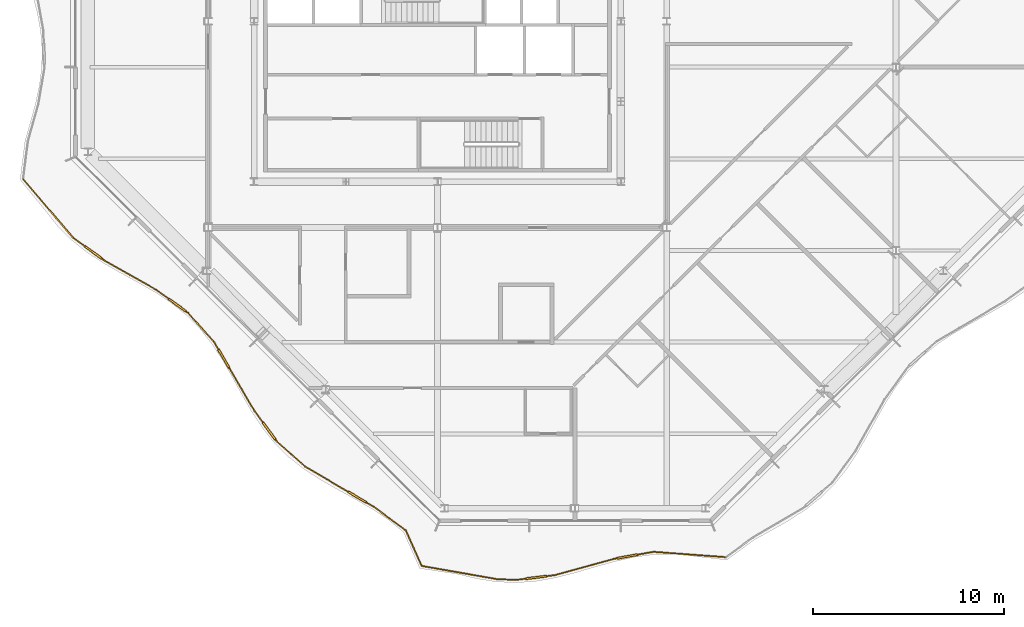
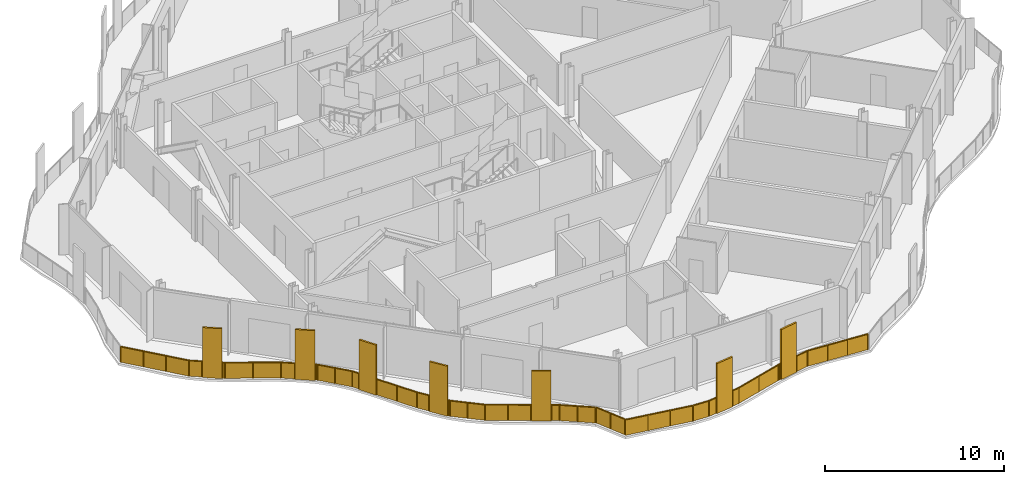
# One storey, part 13 of 17: 3 railings.
"""IFC4 building model written with IfcOpenShell, lengths in metres."""

from ifc_helpers import new_model, si_unit, direction, frame, origin, origin_2d, place, context, subcontext, project, spatial, polyline, rectangle, outline, extrude, material, type_object, element, save


model = new_model("IFC4")

# Units and contexts
model_context = context("Model", 3, precision=1e-05, world=origin(), true_north=direction((0.0, 1.0)))
body_context = subcontext(model_context, "Body", "Model", "MODEL_VIEW")
ifc_project = project(units=[si_unit("LENGTHUNIT", "METRE"), si_unit("AREAUNIT", "SQUARE_METRE"), si_unit("VOLUMEUNIT", "CUBIC_METRE"), si_unit("PLANEANGLEUNIT", "RADIAN"), si_unit("MASSUNIT", "GRAM", prefix="KILO")], contexts=[model_context])

# Site, building, storey
site_placement = place(None, origin())
site = spatial("IfcSite", under=ifc_project, at=site_placement, CompositionType="ELEMENT")
building_placement = place(site_placement, origin())
building = spatial("IfcBuilding", under=site, at=building_placement, Name="Cairn Pilgrim Tower", CompositionType="ELEMENT")
storey_placement = place(building_placement, frame((0.0, 0.0, 281.39990234375)))
storey = spatial("IfcBuildingStorey", under=building, at=storey_placement, Name="L72", CompositionType="ELEMENT", Elevation=281.39990234375)

# Railings
ifc_material_1 = material(Name="Bronze anodised aluminium rail and posts with laminated glass infill", Category="aluminium")
railing_type_1 = type_object("IfcRailingType", Name="BALCONY GUARD 1100", PredefinedType="GUARDRAIL", material=ifc_material_1)
railing_1_placement = place(storey_placement, frame((5.542724609375, -24.2587890625, 0.0)))
element("IfcRailing", 1, at=railing_1_placement, inside=storey, type_object=railing_type_1, Name="Balcony guard BG-9", PredefinedType="GUARDRAIL", context=body_context, shape_type="SweptSolid", body=[
    extrude(rectangle(XDim=0.050048828125, YDim=0.050048828125, at=origin_2d()), frame((0.0, 0.0, 1.0751953125), z_axis=(0.407858906004, -0.913044967564, 0.0), x_axis=(0.913044967564, 0.407858906004, 0.0)), (0.0, 0.0, 1.0), 1.97412109375),
    extrude(rectangle(XDim=0.050048828125, YDim=0.050048828125, at=origin_2d()), origin(), (0.0, 0.0, 1.0), 1.050048828125),
    extrude(rectangle(XDim=0.050048828125, YDim=0.050048828125, at=origin_2d()), frame((0.402587890625, -0.9013671875, 0.0)), (0.0, 0.0, 1.0), 1.050048828125),
    extrude(rectangle(XDim=0.050048828125, YDim=0.050048828125, at=origin_2d()), frame((0.80517578125, -1.802490234375, 0.0)), (0.0, 0.0, 1.0), 1.050048828125),
    extrude(outline(polyline([(0.02490234375, 0.0), (0.962158203125, 0.0), (0.962158203125, 1.050048828125), (0.02490234375, 1.050048828125), (0.02490234375, 0.0)])), frame((0.00537109375, 0.00244140625, 0.0), z_axis=(-0.913044967564, -0.407858906004, 0.0), x_axis=(0.407858906004, -0.913044967564, 0.0)), (0.0, 0.0, 1.0), 0.011962890625),
    extrude(outline(polyline([(0.02490234375, 0.0), (0.962158203125, 0.0), (0.962158203125, 1.050048828125), (0.02490234375, 1.050048828125), (0.02490234375, 0.0)])), frame((0.407958984375, -0.89892578125, 0.0), z_axis=(-0.913044967564, -0.407858906004, 0.0), x_axis=(0.407858906004, -0.913044967564, 0.0)), (0.0, 0.0, 1.0), 0.011962890625),
])
ifc_material_2 = material(Name="Bronze anodised aluminium rail, posts and fin screens with laminated glass infill", Category="aluminium")
railing_type_2 = type_object("IfcRailingType", Name="BALCONY GUARD WITH FIN SCREENS", PredefinedType="GUARDRAIL", material=ifc_material_2)
railing_2_placement = place(storey_placement, frame((6.372314453125, -26.115966796875, 0.0)))
element("IfcRailing", 2, at=railing_2_placement, inside=storey, type_object=railing_type_2, Name="Balcony guard BGF-1 with fin screens", PredefinedType="GUARDRAIL", context=body_context, shape_type="SweptSolid", body=[
    extrude(rectangle(XDim=0.050048828125, YDim=0.050048828125, at=origin_2d()), frame((0.0, 0.0, 1.0751953125), z_axis=(0.985069929759, -0.172154678952, 0.0), x_axis=(0.172154678952, 0.985069929759, 0.0)), (0.0, 0.0, 1.0), 3.9892578125),
    extrude(rectangle(XDim=0.050048828125, YDim=0.050048828125, at=origin_2d()), frame((3.9296875, -0.686767578125, 1.0751953125), z_axis=(0.998950473247, -0.045803405979, 0.0), x_axis=(0.045803405979, 0.998950473247, 0.0)), (0.0, 0.0, 1.0), 1.00732421875),
    extrude(rectangle(XDim=1.10009765625, YDim=0.110107421875, at=origin_2d()), frame((5.99658203125, -0.60107421875, 0.0), z_axis=(0.0, 0.0, 1.0), x_axis=(0.99235466207, 0.123418899148, 0.0)), (0.0, 0.0, 1.0), 3.39990234375),
    extrude(rectangle(XDim=0.050048828125, YDim=0.050048828125, at=origin_2d()), frame((4.93603515625, -0.73291015625, 1.0751953125), z_axis=(0.99235466207, 0.123418899148, 0.0), x_axis=(-0.123418899148, 0.99235466207, 0.0)), (0.0, 0.0, 1.0), 0.5185546875),
    extrude(rectangle(XDim=0.050048828125, YDim=0.050048828125, at=origin_2d()), frame((6.542236328125, -0.533203125, 1.0751953125), z_axis=(0.99235466207, 0.123418899148, 0.0), x_axis=(-0.123418899148, 0.99235466207, 0.0)), (0.0, 0.0, 1.0), 0.4306640625),
    extrude(rectangle(XDim=0.050048828125, YDim=0.050048828125, at=origin_2d()), frame((6.9697265625, -0.47998046875, 1.0751953125), z_axis=(0.964178050097, 0.265255891, 0.0), x_axis=(-0.265255891, 0.964178050097, 0.0)), (0.0, 0.0, 1.0), 3.196533203125),
    extrude(rectangle(XDim=1.10009765625, YDim=0.110107421875, at=origin_2d()), frame((10.761962890625, 0.494873046875, 0.0), z_axis=(0.0, 0.0, 1.0), x_axis=(0.984411879815, 0.175878511704, 0.0)), (0.0, 0.0, 1.0), 3.39990234375),
    extrude(rectangle(XDim=0.050048828125, YDim=0.050048828125, at=origin_2d()), frame((10.0517578125, 0.367919921875, 1.0751953125), z_axis=(0.984411879815, 0.175878511704, 0.0), x_axis=(-0.175878511704, 0.984411879815, 0.0)), (0.0, 0.0, 1.0), 0.17138671875),
    extrude(rectangle(XDim=0.050048828125, YDim=0.050048828125, at=origin_2d()), frame((11.30322265625, 0.591552734375, 1.0751953125), z_axis=(0.984411879815, 0.175878511704, 0.0), x_axis=(-0.175878511704, 0.984411879815, 0.0)), (0.0, 0.0, 1.0), 0.84423828125),
    extrude(rectangle(XDim=0.050048828125, YDim=0.050048828125, at=origin_2d()), frame((12.13427734375, 0.739990234375, 1.0751953125), z_axis=(0.997303000639, -0.0733943112, 0.0), x_axis=(0.0733943112, 0.997303000639, 0.0)), (0.0, 0.0, 1.0), 3.748779296875),
    extrude(rectangle(XDim=0.050048828125, YDim=0.050048828125, at=origin_2d()), origin(), (0.0, 0.0, 1.0), 1.050048828125),
    extrude(rectangle(XDim=0.050048828125, YDim=0.050048828125, at=origin_2d()), frame((1.309814453125, -0.22900390625, 0.0)), (0.0, 0.0, 1.0), 1.050048828125),
    extrude(rectangle(XDim=0.050048828125, YDim=0.050048828125, at=origin_2d()), frame((2.619873046875, -0.457763671875, 0.0)), (0.0, 0.0, 1.0), 1.050048828125),
    extrude(rectangle(XDim=0.050048828125, YDim=0.050048828125, at=origin_2d()), frame((3.9296875, -0.686767578125, 0.0)), (0.0, 0.0, 1.0), 1.050048828125),
    extrude(rectangle(XDim=0.050048828125, YDim=0.050048828125, at=origin_2d()), frame((4.93603515625, -0.73291015625, 0.0)), (0.0, 0.0, 1.0), 1.050048828125),
    extrude(rectangle(XDim=0.050048828125, YDim=0.050048828125, at=origin_2d()), frame((5.42578125, -0.671875, 0.0)), (0.0, 0.0, 1.0), 1.050048828125),
    extrude(rectangle(XDim=0.050048828125, YDim=0.050048828125, at=origin_2d()), frame((6.567138671875, -0.530029296875, 0.0)), (0.0, 0.0, 1.0), 1.050048828125),
    extrude(rectangle(XDim=0.050048828125, YDim=0.050048828125, at=origin_2d()), frame((6.9697265625, -0.47998046875, 0.0)), (0.0, 0.0, 1.0), 1.050048828125),
    extrude(rectangle(XDim=0.050048828125, YDim=0.050048828125, at=origin_2d()), frame((8.5107421875, -0.055908203125, 0.0)), (0.0, 0.0, 1.0), 1.050048828125),
    extrude(rectangle(XDim=0.050048828125, YDim=0.050048828125, at=origin_2d()), frame((10.0517578125, 0.367919921875, 0.0)), (0.0, 0.0, 1.0), 1.050048828125),
    extrude(rectangle(XDim=0.050048828125, YDim=0.050048828125, at=origin_2d()), frame((10.19580078125, 0.3935546875, 0.0)), (0.0, 0.0, 1.0), 1.050048828125),
    extrude(rectangle(XDim=0.050048828125, YDim=0.050048828125, at=origin_2d()), frame((11.327880859375, 0.595947265625, 0.0)), (0.0, 0.0, 1.0), 1.050048828125),
    extrude(rectangle(XDim=0.050048828125, YDim=0.050048828125, at=origin_2d()), frame((12.13427734375, 0.739990234375, 0.0)), (0.0, 0.0, 1.0), 1.050048828125),
    extrude(rectangle(XDim=0.050048828125, YDim=0.050048828125, at=origin_2d()), frame((13.380615234375, 0.648193359375, 0.0)), (0.0, 0.0, 1.0), 1.050048828125),
    extrude(rectangle(XDim=0.050048828125, YDim=0.050048828125, at=origin_2d()), frame((14.626708984375, 0.556640625, 0.0)), (0.0, 0.0, 1.0), 1.050048828125),
    extrude(rectangle(XDim=0.050048828125, YDim=0.050048828125, at=origin_2d()), frame((15.873046875, 0.46484375, 0.0)), (0.0, 0.0, 1.0), 1.050048828125),
    extrude(outline(polyline([(0.02490234375, 0.0), (1.3046875, 0.0), (1.3046875, 1.050048828125), (0.02490234375, 1.050048828125), (0.02490234375, 0.0)])), frame((0.0009765625, 0.005859375, 0.0), z_axis=(-0.172154678952, -0.985069929759, 0.0), x_axis=(0.985069929759, -0.172154678952, 0.0)), (0.0, 0.0, 1.0), 0.011962890625),
    extrude(outline(polyline([(0.02490234375, 0.0), (1.3046875, 0.0), (1.3046875, 1.050048828125), (0.02490234375, 1.050048828125), (0.02490234375, 0.0)])), frame((1.31103515625, -0.22314453125, 0.0), z_axis=(-0.172154678952, -0.985069929759, 0.0), x_axis=(0.985069929759, -0.172154678952, 0.0)), (0.0, 0.0, 1.0), 0.011962890625),
    extrude(outline(polyline([(0.02490234375, 0.0), (1.3046875, 0.0), (1.3046875, 1.050048828125), (0.02490234375, 1.050048828125), (0.02490234375, 0.0)])), frame((2.620849609375, -0.451904296875, 0.0), z_axis=(-0.172154678952, -0.985069929759, 0.0), x_axis=(0.985069929759, -0.172154678952, 0.0)), (0.0, 0.0, 1.0), 0.011962890625),
    extrude(outline(polyline([(0.02490234375, 0.0), (0.982421875, 0.0), (0.982421875, 1.050048828125), (0.02490234375, 1.050048828125), (0.02490234375, 0.0)])), frame((3.929931640625, -0.680908203125, 0.0), z_axis=(-0.045803405979, -0.998950473247, 0.0), x_axis=(0.998950473247, -0.045803405979, 0.0)), (0.0, 0.0, 1.0), 0.011962890625),
    extrude(outline(polyline([(0.02490234375, 0.0), (0.468505859375, 0.0), (0.468505859375, 1.050048828125), (0.02490234375, 1.050048828125), (0.02490234375, 0.0)])), frame((4.935302734375, -0.72705078125, 0.0), z_axis=(0.123418899148, -0.99235466207, 0.0), x_axis=(0.99235466207, 0.123418899148, 0.0)), (0.0, 0.0, 1.0), 0.011962890625),
    extrude(outline(polyline([(0.02490234375, 0.0), (0.380615234375, 0.0), (0.380615234375, 1.050048828125), (0.02490234375, 1.050048828125), (0.02490234375, 0.0)])), frame((6.56640625, -0.524169921875, 0.0), z_axis=(0.123418899148, -0.99235466207, 0.0), x_axis=(0.99235466207, 0.123418899148, 0.0)), (0.0, 0.0, 1.0), 0.011962890625),
    extrude(outline(polyline([(0.02490234375, 0.0), (1.5732421875, 0.0), (1.5732421875, 1.050048828125), (0.02490234375, 1.050048828125), (0.02490234375, 0.0)])), frame((6.96826171875, -0.47412109375, 0.0), z_axis=(0.265255891, -0.964178050097, 0.0), x_axis=(0.964178050097, 0.265255891, 0.0)), (0.0, 0.0, 1.0), 0.011962890625),
    extrude(outline(polyline([(0.02490234375, 0.0), (1.5732421875, 0.0), (1.5732421875, 1.050048828125), (0.02490234375, 1.050048828125), (0.02490234375, 0.0)])), frame((8.50927734375, -0.05029296875, 0.0), z_axis=(0.265255891, -0.964178050097, 0.0), x_axis=(0.964178050097, 0.265255891, 0.0)), (0.0, 0.0, 1.0), 0.011962890625),
    extrude(outline(polyline([(0.02490234375, 0.0), (0.121337890625, 0.0), (0.121337890625, 1.050048828125), (0.02490234375, 1.050048828125), (0.02490234375, 0.0)])), frame((10.05078125, 0.373779296875, 0.0), z_axis=(0.175878511704, -0.984411879815, 0.0), x_axis=(0.984411879815, 0.175878511704, 0.0)), (0.0, 0.0, 1.0), 0.011962890625),
    extrude(outline(polyline([(0.02490234375, 0.0), (0.794189453125, 0.0), (0.794189453125, 1.050048828125), (0.02490234375, 1.050048828125), (0.02490234375, 0.0)])), frame((11.326904296875, 0.601806640625, 0.0), z_axis=(0.175878511704, -0.984411879815, 0.0), x_axis=(0.984411879815, 0.175878511704, 0.0)), (0.0, 0.0, 1.0), 0.011962890625),
    extrude(outline(polyline([(0.02490234375, 0.0), (1.224609375, 0.0), (1.224609375, 1.050048828125), (0.02490234375, 1.050048828125), (0.02490234375, 0.0)])), frame((12.134765625, 0.745849609375, 0.0), z_axis=(-0.0733943112, -0.997303000639, 0.0), x_axis=(0.997303000639, -0.0733943112, 0.0)), (0.0, 0.0, 1.0), 0.011962890625),
    extrude(outline(polyline([(0.02490234375, 0.0), (1.224609375, 0.0), (1.224609375, 1.050048828125), (0.02490234375, 1.050048828125), (0.02490234375, 0.0)])), frame((13.380859375, 0.654296875, 0.0), z_axis=(-0.0733943112, -0.997303000639, 0.0), x_axis=(0.997303000639, -0.0733943112, 0.0)), (0.0, 0.0, 1.0), 0.011962890625),
    extrude(outline(polyline([(0.02490234375, 0.0), (1.224609375, 0.0), (1.224609375, 1.050048828125), (0.02490234375, 1.050048828125), (0.02490234375, 0.0)])), frame((14.627197265625, 0.5625, 0.0), z_axis=(-0.0733943112, -0.997303000639, 0.0), x_axis=(0.997303000639, -0.0733943112, 0.0)), (0.0, 0.0, 1.0), 0.011962890625),
])
railing_3_placement = place(storey_placement, frame((-14.49951171875, -5.853515625, 0.0)))
element("IfcRailing", 3, at=railing_3_placement, inside=storey, type_object=railing_type_2, Name="Balcony guard BGF-8 with fin screens", PredefinedType="GUARDRAIL", context=body_context, shape_type="SweptSolid", body=[
    extrude(rectangle(XDim=0.050048828125, YDim=0.050048828125, at=origin_2d()), frame((0.0, 0.0, 1.0751953125), z_axis=(0.64827867442, -0.761403152274, 0.0), x_axis=(0.761403152274, 0.64827867442, 0.0)), (0.0, 0.0, 1.0), 4.046630859375),
    extrude(rectangle(XDim=1.10009765625, YDim=0.110107421875, at=origin_2d()), frame((3.682373046875, -3.8515625, 0.0), z_axis=(0.0, 0.0, 1.0), x_axis=(0.808588988525, -0.588373901219, 0.0)), (0.0, 0.0, 1.0), 3.39990234375),
    extrude(rectangle(XDim=0.050048828125, YDim=0.050048828125, at=origin_2d()), frame((2.623291015625, -3.0810546875, 1.0751953125), z_axis=(0.808588988525, -0.588373901219, 0.0), x_axis=(0.588373901219, 0.808588988525, 0.0)), (0.0, 0.0, 1.0), 0.759765625),
    extrude(rectangle(XDim=0.050048828125, YDim=0.050048828125, at=origin_2d()), frame((4.126953125, -4.17529296875, 1.0751953125), z_axis=(0.808588988525, -0.588373901219, 0.0), x_axis=(0.588373901219, 0.808588988525, 0.0)), (0.0, 0.0, 1.0), 0.150146484375),
    extrude(rectangle(XDim=0.050048828125, YDim=0.050048828125, at=origin_2d()), frame((4.24853515625, -4.263671875, 1.0751953125), z_axis=(0.870480043492, -0.492203711773, 0.0), x_axis=(0.492203711773, 0.870480043492, 0.0)), (0.0, 0.0, 1.0), 3.130859375),
    extrude(rectangle(XDim=1.10009765625, YDim=0.110107421875, at=origin_2d()), frame((8.0751953125, -6.604736328125, 0.0), z_axis=(0.0, 0.0, 1.0), x_axis=(0.809073989222, -0.587706797617, 0.0)), (0.0, 0.0, 1.0), 3.39990234375),
    extrude(rectangle(XDim=0.050048828125, YDim=0.050048828125, at=origin_2d()), frame((6.973876953125, -5.8046875, 1.0751953125), z_axis=(0.809073989222, -0.587706797617, 0.0), x_axis=(0.587706797617, 0.809073989222, 0.0)), (0.0, 0.0, 1.0), 0.81103515625),
    extrude(rectangle(XDim=0.050048828125, YDim=0.050048828125, at=origin_2d()), frame((8.52001953125, -6.927978515625, 1.0751953125), z_axis=(0.809073989222, -0.587706797617, 0.0), x_axis=(0.587706797617, 0.809073989222, 0.0)), (0.0, 0.0, 1.0), 0.150146484375),
    extrude(rectangle(XDim=0.050048828125, YDim=0.050048828125, at=origin_2d()), frame((8.6416015625, -7.01611328125, 1.0751953125), z_axis=(0.664859994734, -0.746967996237, 0.0), x_axis=(0.746967996237, 0.664859994734, 0.0)), (0.0, 0.0, 1.0), 2.045654296875),
    extrude(rectangle(XDim=1.10009765625, YDim=0.110107421875, at=origin_2d()), frame((10.5078125, -9.4072265625, 0.0), z_axis=(0.0, 0.0, 1.0), x_axis=(0.505969248917, -0.86255151681, 0.0)), (0.0, 0.0, 1.0), 3.39990234375),
    extrude(rectangle(XDim=0.050048828125, YDim=0.050048828125, at=origin_2d()), frame((10.001708984375, -8.544189453125, 1.0751953125), z_axis=(0.505969248917, -0.86255151681, 0.0), x_axis=(0.86255151681, 0.505969248917, 0.0)), (0.0, 0.0, 1.0), 0.450439453125),
    extrude(rectangle(XDim=0.050048828125, YDim=0.050048828125, at=origin_2d()), frame((10.7861328125, -9.881591796875, 1.0751953125), z_axis=(0.505969248917, -0.86255151681, 0.0), x_axis=(0.86255151681, 0.505969248917, 0.0)), (0.0, 0.0, 1.0), 2.61376953125),
    extrude(rectangle(XDim=1.10009765625, YDim=0.110107421875, at=origin_2d()), frame((12.883544921875, -13.193359375, 0.0), z_axis=(0.0, 0.0, 1.0), x_axis=(0.591105742115, -0.806594074884, 0.0)), (0.0, 0.0, 1.0), 3.39990234375),
    extrude(rectangle(XDim=0.050048828125, YDim=0.050048828125, at=origin_2d()), frame((12.108642578125, -12.135986328125, 1.0751953125), z_axis=(0.591105742115, -0.806594074884, 0.0), x_axis=(0.806594074884, 0.591105742115, 0.0)), (0.0, 0.0, 1.0), 0.760986328125),
    extrude(rectangle(XDim=0.050048828125, YDim=0.050048828125, at=origin_2d()), frame((13.208740234375, -13.636962890625, 1.0751953125), z_axis=(0.591105742115, -0.806594074884, 0.0), x_axis=(0.806594074884, 0.591105742115, 0.0)), (0.0, 0.0, 1.0), 0.14990234375),
    extrude(rectangle(XDim=0.050048828125, YDim=0.050048828125, at=origin_2d()), frame((13.29736328125, -13.758056640625, 1.0751953125), z_axis=(0.750347373175, -0.66104373499, 0.0), x_axis=(0.66104373499, 0.750347373175, 0.0)), (0.0, 0.0, 1.0), 1.98486328125),
    extrude(rectangle(XDim=1.10009765625, YDim=0.110107421875, at=origin_2d()), frame((17.494140625, -16.65576171875, 0.0), z_axis=(0.0, 0.0, 1.0), x_axis=(0.862898749758, -0.505376837287, 0.0)), (0.0, 0.0, 1.0), 3.39990234375),
    extrude(rectangle(XDim=0.050048828125, YDim=0.050048828125, at=origin_2d()), frame((14.78662109375, -15.070068359375, 1.0751953125), z_axis=(0.862898749758, -0.505376837287, 0.0), x_axis=(0.505376837287, 0.862898749758, 0.0)), (0.0, 0.0, 1.0), 2.587646484375),
    extrude(rectangle(XDim=0.050048828125, YDim=0.050048828125, at=origin_2d()), frame((17.96875, -16.933837890625, 1.0751953125), z_axis=(0.862898749758, -0.505376837287, 0.0), x_axis=(0.505376837287, 0.862898749758, 0.0)), (0.0, 0.0, 1.0), 0.46337890625),
    extrude(rectangle(XDim=0.050048828125, YDim=0.050048828125, at=origin_2d()), frame((18.36865234375, -17.16796875, 1.0751953125), z_axis=(0.804125938347, -0.594458976951, 0.0), x_axis=(0.594458976951, 0.804125938347, 0.0)), (0.0, 0.0, 1.0), 2.021484375),
    extrude(rectangle(XDim=0.050048828125, YDim=0.050048828125, at=origin_2d()), origin(), (0.0, 0.0, 1.0), 1.050048828125),
    extrude(rectangle(XDim=0.050048828125, YDim=0.050048828125, at=origin_2d()), frame((0.87451171875, -1.027099609375, 0.0)), (0.0, 0.0, 1.0), 1.050048828125),
    extrude(rectangle(XDim=0.050048828125, YDim=0.050048828125, at=origin_2d()), frame((1.748779296875, -2.053955078125, 0.0)), (0.0, 0.0, 1.0), 1.050048828125),
    extrude(rectangle(XDim=0.050048828125, YDim=0.050048828125, at=origin_2d()), frame((2.623291015625, -3.0810546875, 0.0)), (0.0, 0.0, 1.0), 1.050048828125),
    extrude(rectangle(XDim=0.050048828125, YDim=0.050048828125, at=origin_2d()), frame((3.21728515625, -3.513427734375, 0.0)), (0.0, 0.0, 1.0), 1.050048828125),
    extrude(rectangle(XDim=0.050048828125, YDim=0.050048828125, at=origin_2d()), frame((4.147216796875, -4.18994140625, 0.0)), (0.0, 0.0, 1.0), 1.050048828125),
    extrude(rectangle(XDim=0.050048828125, YDim=0.050048828125, at=origin_2d()), frame((4.24853515625, -4.263671875, 0.0)), (0.0, 0.0, 1.0), 1.050048828125),
    extrude(rectangle(XDim=0.050048828125, YDim=0.050048828125, at=origin_2d()), frame((5.611328125, -5.0341796875, 0.0)), (0.0, 0.0, 1.0), 1.050048828125),
    extrude(rectangle(XDim=0.050048828125, YDim=0.050048828125, at=origin_2d()), frame((6.973876953125, -5.8046875, 0.0)), (0.0, 0.0, 1.0), 1.050048828125),
    extrude(rectangle(XDim=0.050048828125, YDim=0.050048828125, at=origin_2d()), frame((7.60986328125, -6.2666015625, 0.0)), (0.0, 0.0, 1.0), 1.050048828125),
    extrude(rectangle(XDim=0.050048828125, YDim=0.050048828125, at=origin_2d()), frame((8.540283203125, -6.942626953125, 0.0)), (0.0, 0.0, 1.0), 1.050048828125),
    extrude(rectangle(XDim=0.050048828125, YDim=0.050048828125, at=origin_2d()), frame((8.6416015625, -7.01611328125, 0.0)), (0.0, 0.0, 1.0), 1.050048828125),
    extrude(rectangle(XDim=0.050048828125, YDim=0.050048828125, at=origin_2d()), frame((9.32177734375, -7.7802734375, 0.0)), (0.0, 0.0, 1.0), 1.050048828125),
    extrude(rectangle(XDim=0.050048828125, YDim=0.050048828125, at=origin_2d()), frame((10.001708984375, -8.544189453125, 0.0)), (0.0, 0.0, 1.0), 1.050048828125),
    extrude(rectangle(XDim=0.050048828125, YDim=0.050048828125, at=origin_2d()), frame((10.217041015625, -8.9111328125, 0.0)), (0.0, 0.0, 1.0), 1.050048828125),
    extrude(rectangle(XDim=0.050048828125, YDim=0.050048828125, at=origin_2d()), frame((10.798828125, -9.903076171875, 0.0)), (0.0, 0.0, 1.0), 1.050048828125),
    extrude(rectangle(XDim=0.050048828125, YDim=0.050048828125, at=origin_2d()), frame((11.453857421875, -11.01953125, 0.0)), (0.0, 0.0, 1.0), 1.050048828125),
    extrude(rectangle(XDim=0.050048828125, YDim=0.050048828125, at=origin_2d()), frame((12.108642578125, -12.135986328125, 0.0)), (0.0, 0.0, 1.0), 1.050048828125),
    extrude(rectangle(XDim=0.050048828125, YDim=0.050048828125, at=origin_2d()), frame((12.543701171875, -12.7294921875, 0.0)), (0.0, 0.0, 1.0), 1.050048828125),
    extrude(rectangle(XDim=0.050048828125, YDim=0.050048828125, at=origin_2d()), frame((13.223388671875, -13.6572265625, 0.0)), (0.0, 0.0, 1.0), 1.050048828125),
    extrude(rectangle(XDim=0.050048828125, YDim=0.050048828125, at=origin_2d()), frame((13.29736328125, -13.758056640625, 0.0)), (0.0, 0.0, 1.0), 1.050048828125),
    extrude(rectangle(XDim=0.050048828125, YDim=0.050048828125, at=origin_2d()), frame((14.0419921875, -14.4140625, 0.0)), (0.0, 0.0, 1.0), 1.050048828125),
    extrude(rectangle(XDim=0.050048828125, YDim=0.050048828125, at=origin_2d()), frame((14.78662109375, -15.070068359375, 0.0)), (0.0, 0.0, 1.0), 1.050048828125),
    extrude(rectangle(XDim=0.050048828125, YDim=0.050048828125, at=origin_2d()), frame((15.892333984375, -15.717529296875, 0.0)), (0.0, 0.0, 1.0), 1.050048828125),
    extrude(rectangle(XDim=0.050048828125, YDim=0.050048828125, at=origin_2d()), frame((16.998046875, -16.365234375, 0.0)), (0.0, 0.0, 1.0), 1.050048828125),
    extrude(rectangle(XDim=0.050048828125, YDim=0.050048828125, at=origin_2d()), frame((17.990234375, -16.9462890625, 0.0)), (0.0, 0.0, 1.0), 1.050048828125),
    extrude(rectangle(XDim=0.050048828125, YDim=0.050048828125, at=origin_2d()), frame((18.36865234375, -17.16796875, 0.0)), (0.0, 0.0, 1.0), 1.050048828125),
    extrude(rectangle(XDim=0.050048828125, YDim=0.050048828125, at=origin_2d()), frame((19.181396484375, -17.768798828125, 0.0)), (0.0, 0.0, 1.0), 1.050048828125),
    extrude(rectangle(XDim=0.050048828125, YDim=0.050048828125, at=origin_2d()), frame((19.994140625, -18.36962890625, 0.0)), (0.0, 0.0, 1.0), 1.050048828125),
    extrude(outline(polyline([(0.02490234375, 0.0), (1.32373046875, 0.0), (1.32373046875, 1.050048828125), (0.02490234375, 1.050048828125), (0.02490234375, 0.0)])), frame((0.004638671875, 0.00390625, 0.0), z_axis=(-0.761403152274, -0.64827867442, 0.0), x_axis=(0.64827867442, -0.761403152274, 0.0)), (0.0, 0.0, 1.0), 0.011962890625),
    extrude(outline(polyline([(0.02490234375, 0.0), (1.32373046875, 0.0), (1.32373046875, 1.050048828125), (0.02490234375, 1.050048828125), (0.02490234375, 0.0)])), frame((0.87890625, -1.023193359375, 0.0), z_axis=(-0.761403152274, -0.64827867442, 0.0), x_axis=(0.64827867442, -0.761403152274, 0.0)), (0.0, 0.0, 1.0), 0.011962890625),
    extrude(outline(polyline([(0.02490234375, 0.0), (1.32373046875, 0.0), (1.32373046875, 1.050048828125), (0.02490234375, 1.050048828125), (0.02490234375, 0.0)])), frame((1.75341796875, -2.050048828125, 0.0), z_axis=(-0.761403152274, -0.64827867442, 0.0), x_axis=(0.64827867442, -0.761403152274, 0.0)), (0.0, 0.0, 1.0), 0.011962890625),
    extrude(outline(polyline([(0.02490234375, 0.0), (0.709716796875, 0.0), (0.709716796875, 1.050048828125), (0.02490234375, 1.050048828125), (0.02490234375, 0.0)])), frame((2.626708984375, -3.076171875, 0.0), z_axis=(-0.588373901219, -0.808588988525, 0.0), x_axis=(0.808588988525, -0.588373901219, 0.0)), (0.0, 0.0, 1.0), 0.011962890625),
    extrude(outline(polyline([(0.02490234375, 0.0), (0.10009765625, 0.0), (0.10009765625, 1.050048828125), (0.02490234375, 1.050048828125), (0.02490234375, 0.0)])), frame((4.15087890625, -4.18505859375, 0.0), z_axis=(-0.588373901219, -0.808588988525, 0.0), x_axis=(0.808588988525, -0.588373901219, 0.0)), (0.0, 0.0, 1.0), 0.011962890625),
    extrude(outline(polyline([(0.02490234375, 0.0), (1.540283203125, 0.0), (1.540283203125, 1.050048828125), (0.02490234375, 1.050048828125), (0.02490234375, 0.0)])), frame((4.25146484375, -4.258544921875, 0.0), z_axis=(-0.492203711773, -0.870480043492, 0.0), x_axis=(0.870480043492, -0.492203711773, 0.0)), (0.0, 0.0, 1.0), 0.011962890625),
    extrude(outline(polyline([(0.02490234375, 0.0), (1.540283203125, 0.0), (1.540283203125, 1.050048828125), (0.02490234375, 1.050048828125), (0.02490234375, 0.0)])), frame((5.6142578125, -5.029052734375, 0.0), z_axis=(-0.492203711773, -0.870480043492, 0.0), x_axis=(0.870480043492, -0.492203711773, 0.0)), (0.0, 0.0, 1.0), 0.011962890625),
    extrude(outline(polyline([(0.02490234375, 0.0), (0.760986328125, 0.0), (0.760986328125, 1.050048828125), (0.02490234375, 1.050048828125), (0.02490234375, 0.0)])), frame((6.977294921875, -5.7998046875, 0.0), z_axis=(-0.587706797617, -0.809073989222, 0.0), x_axis=(0.809073989222, -0.587706797617, 0.0)), (0.0, 0.0, 1.0), 0.011962890625),
    extrude(outline(polyline([(0.02490234375, 0.0), (0.10009765625, 0.0), (0.10009765625, 1.050048828125), (0.02490234375, 1.050048828125), (0.02490234375, 0.0)])), frame((8.5439453125, -6.937744140625, 0.0), z_axis=(-0.587706797617, -0.809073989222, 0.0), x_axis=(0.809073989222, -0.587706797617, 0.0)), (0.0, 0.0, 1.0), 0.011962890625),
    extrude(outline(polyline([(0.02490234375, 0.0), (0.997802734375, 0.0), (0.997802734375, 1.050048828125), (0.02490234375, 1.050048828125), (0.02490234375, 0.0)])), frame((8.64599609375, -7.01220703125, 0.0), z_axis=(-0.746967996237, -0.664859994734, 0.0), x_axis=(0.664859994734, -0.746967996237, 0.0)), (0.0, 0.0, 1.0), 0.011962890625),
    extrude(outline(polyline([(0.02490234375, 0.0), (0.997802734375, 0.0), (0.997802734375, 1.050048828125), (0.02490234375, 1.050048828125), (0.02490234375, 0.0)])), frame((9.326171875, -7.776123046875, 0.0), z_axis=(-0.746967996237, -0.664859994734, 0.0), x_axis=(0.664859994734, -0.746967996237, 0.0)), (0.0, 0.0, 1.0), 0.011962890625),
    extrude(outline(polyline([(0.02490234375, 0.0), (0.400390625, 0.0), (0.400390625, 1.050048828125), (0.02490234375, 1.050048828125), (0.02490234375, 0.0)])), frame((10.0068359375, -8.541259765625, 0.0), z_axis=(-0.86255151681, -0.505969248917, 0.0), x_axis=(0.505969248917, -0.86255151681, 0.0)), (0.0, 0.0, 1.0), 0.011962890625),
    extrude(outline(polyline([(0.02490234375, 0.0), (1.269287109375, 0.0), (1.269287109375, 1.050048828125), (0.02490234375, 1.050048828125), (0.02490234375, 0.0)])), frame((10.803955078125, -9.900146484375, 0.0), z_axis=(-0.86255151681, -0.505969248917, 0.0), x_axis=(0.505969248917, -0.86255151681, 0.0)), (0.0, 0.0, 1.0), 0.011962890625),
    extrude(outline(polyline([(0.02490234375, 0.0), (1.269287109375, 0.0), (1.269287109375, 1.050048828125), (0.02490234375, 1.050048828125), (0.02490234375, 0.0)])), frame((11.458984375, -11.0166015625, 0.0), z_axis=(-0.86255151681, -0.505969248917, 0.0), x_axis=(0.505969248917, -0.86255151681, 0.0)), (0.0, 0.0, 1.0), 0.011962890625),
    extrude(outline(polyline([(0.02490234375, 0.0), (0.7109375, 0.0), (0.7109375, 1.050048828125), (0.02490234375, 1.050048828125), (0.02490234375, 0.0)])), frame((12.113525390625, -12.132568359375, 0.0), z_axis=(-0.806594074884, -0.591105742115, 0.0), x_axis=(0.591105742115, -0.806594074884, 0.0)), (0.0, 0.0, 1.0), 0.011962890625),
    extrude(outline(polyline([(0.02490234375, 0.0), (0.099853515625, 0.0), (0.099853515625, 1.050048828125), (0.02490234375, 1.050048828125), (0.02490234375, 0.0)])), frame((13.228271484375, -13.65380859375, 0.0), z_axis=(-0.806594074884, -0.591105742115, 0.0), x_axis=(0.591105742115, -0.806594074884, 0.0)), (0.0, 0.0, 1.0), 0.011962890625),
    extrude(outline(polyline([(0.02490234375, 0.0), (0.96728515625, 0.0), (0.96728515625, 1.050048828125), (0.02490234375, 1.050048828125), (0.02490234375, 0.0)])), frame((13.30126953125, -13.753662109375, 0.0), z_axis=(-0.66104373499, -0.750347373175, 0.0), x_axis=(0.750347373175, -0.66104373499, 0.0)), (0.0, 0.0, 1.0), 0.011962890625),
    extrude(outline(polyline([(0.02490234375, 0.0), (0.96728515625, 0.0), (0.96728515625, 1.050048828125), (0.02490234375, 1.050048828125), (0.02490234375, 0.0)])), frame((14.0458984375, -14.40966796875, 0.0), z_axis=(-0.66104373499, -0.750347373175, 0.0), x_axis=(0.750347373175, -0.66104373499, 0.0)), (0.0, 0.0, 1.0), 0.011962890625),
    extrude(outline(polyline([(0.02490234375, 0.0), (1.25634765625, 0.0), (1.25634765625, 1.050048828125), (0.02490234375, 1.050048828125), (0.02490234375, 0.0)])), frame((14.78955078125, -15.06494140625, 0.0), z_axis=(-0.505376837287, -0.862898749758, 0.0), x_axis=(0.862898749758, -0.505376837287, 0.0)), (0.0, 0.0, 1.0), 0.011962890625),
    extrude(outline(polyline([(0.02490234375, 0.0), (1.25634765625, 0.0), (1.25634765625, 1.050048828125), (0.02490234375, 1.050048828125), (0.02490234375, 0.0)])), frame((15.895263671875, -15.71240234375, 0.0), z_axis=(-0.505376837287, -0.862898749758, 0.0), x_axis=(0.862898749758, -0.505376837287, 0.0)), (0.0, 0.0, 1.0), 0.011962890625),
    extrude(outline(polyline([(0.02490234375, 0.0), (0.413330078125, 0.0), (0.413330078125, 1.050048828125), (0.02490234375, 1.050048828125), (0.02490234375, 0.0)])), frame((17.993408203125, -16.941162109375, 0.0), z_axis=(-0.505376837287, -0.862898749758, 0.0), x_axis=(0.862898749758, -0.505376837287, 0.0)), (0.0, 0.0, 1.0), 0.011962890625),
    extrude(outline(polyline([(0.02490234375, 0.0), (0.985595703125, 0.0), (0.985595703125, 1.050048828125), (0.02490234375, 1.050048828125), (0.02490234375, 0.0)])), frame((18.372314453125, -17.1630859375, 0.0), z_axis=(-0.594458976951, -0.804125938347, 0.0), x_axis=(0.804125938347, -0.594458976951, 0.0)), (0.0, 0.0, 1.0), 0.011962890625),
    extrude(outline(polyline([(0.02490234375, 0.0), (0.985595703125, 0.0), (0.985595703125, 1.050048828125), (0.02490234375, 1.050048828125), (0.02490234375, 0.0)])), frame((19.18505859375, -17.763916015625, 0.0), z_axis=(-0.594458976951, -0.804125938347, 0.0), x_axis=(0.804125938347, -0.594458976951, 0.0)), (0.0, 0.0, 1.0), 0.011962890625),
])

save(model, "model.ifc")
